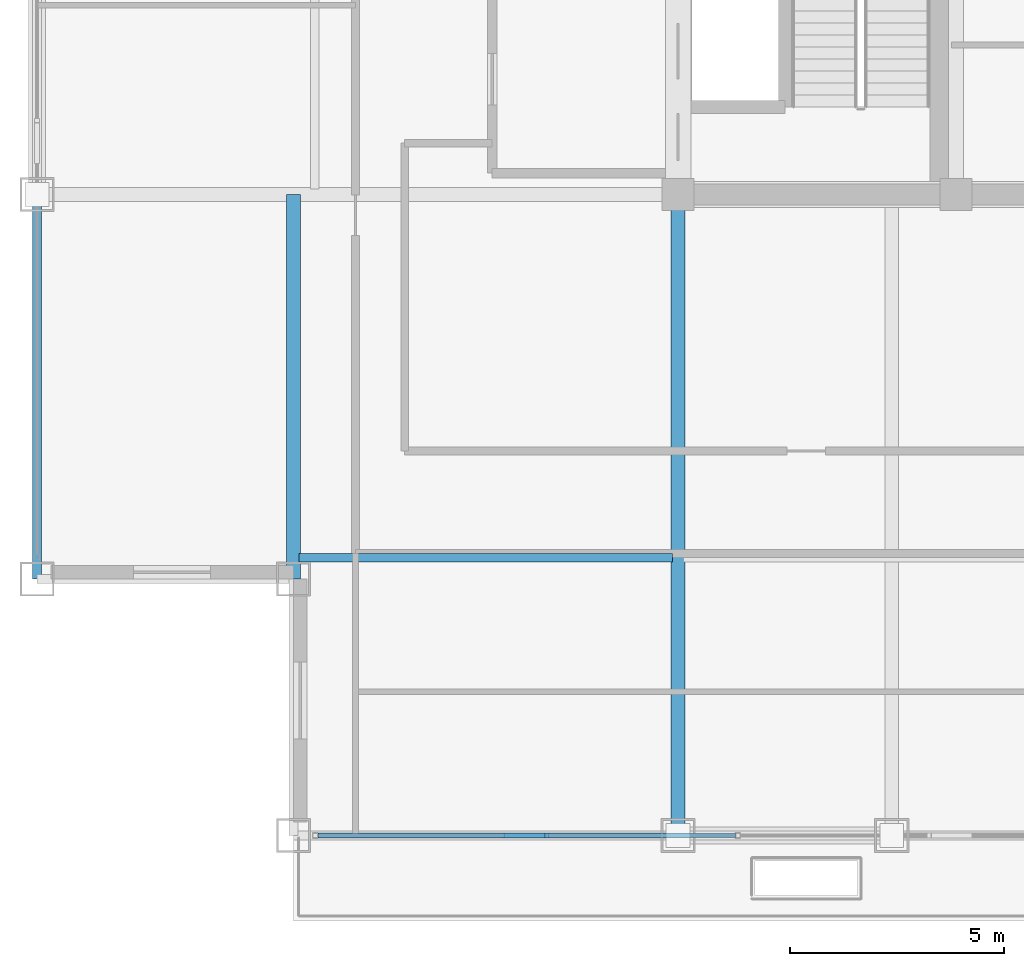
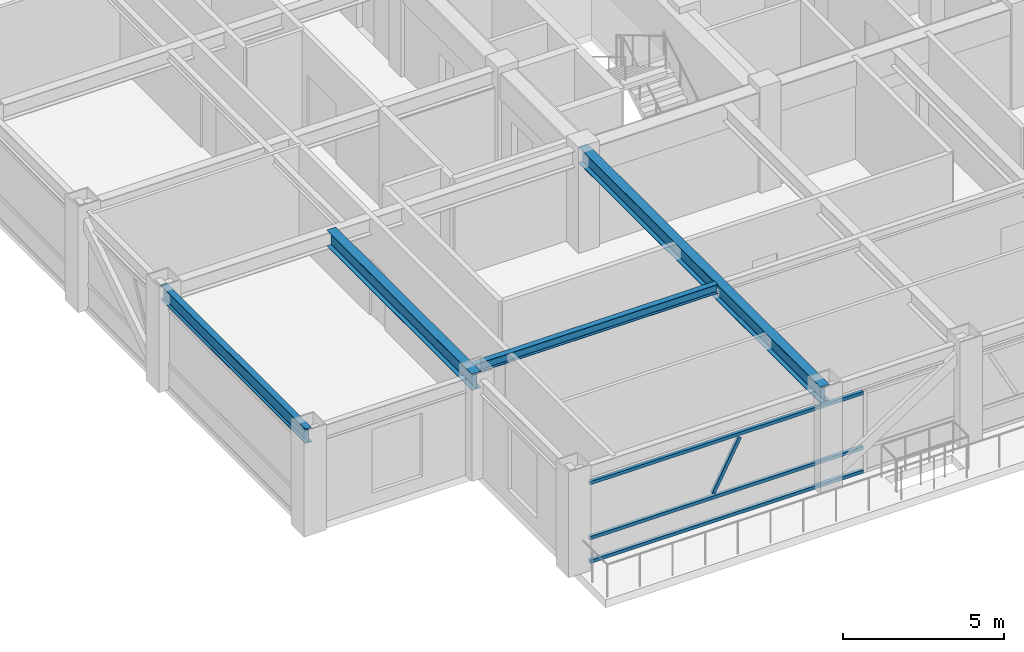
# One storey, part 3 of 30: 4 beams, 4 members, 1 element without a shape of its own.
"""IFC4 building model written with IfcOpenShell, lengths in metres."""

from ifc_helpers import new_model, si_unit, direction, frame, origin, origin_2d, place, context, subcontext, project, spatial, hollow_rectangle, i_section, extrude, source, transform, mapped, material, material_profile, profile_set, type_object, element, aggregate, save


model = new_model("IFC4")

# Units and contexts
model_context = context("Model", 3, precision=1e-05, world=origin(), true_north=direction((0.0, 1.0)))
body_context = subcontext(model_context, "Body", "Model", "MODEL_VIEW")
ifc_project = project(units=[si_unit("LENGTHUNIT", "METRE"), si_unit("AREAUNIT", "SQUARE_METRE"), si_unit("VOLUMEUNIT", "CUBIC_METRE"), si_unit("PLANEANGLEUNIT", "RADIAN"), si_unit("MASSUNIT", "GRAM", prefix="KILO")], contexts=[model_context])

# Site, building, storey
site_placement = place(None, origin())
site = spatial("IfcSite", under=ifc_project, at=site_placement, CompositionType="ELEMENT")
building_placement = place(site_placement, origin())
building = spatial("IfcBuilding", under=site, at=building_placement, Name="Khorayat Bourse Tower", CompositionType="ELEMENT")
storey_placement = place(building_placement, frame((0.0, 0.0, 326.300048828125)))
storey = spatial("IfcBuildingStorey", under=building, at=storey_placement, Name="L77", CompositionType="ELEMENT", Elevation=326.300048828125)

# Beams
ifc_material_1 = material(Name="Steel ASTM A992 Grade 50", Category="steel")
ifc_material_profile_1 = material_profile(ifc_material_1, i_section(OverallWidth=0.214111328125, OverallDepth=0.549072265625, WebThickness=0.0146484375, FlangeThickness=0.023681640625, FilletRadius=0.013916015625, at=origin_2d()), Name="W530X138")
ifc_profile_set_1 = profile_set([ifc_material_profile_1], Name="Steel ASTM A992 Grade 50")
beam_type_1 = type_object("IfcBeamType", Name="BM-SPAN-530", PredefinedType="SPANDREL", material=ifc_profile_set_1)
shared_shape_1 = source(origin(), body_context, "Body", "SweptSolid", [
    extrude(i_section(OverallWidth=0.214111328125, OverallDepth=0.549072265625, WebThickness=0.0146484375, FlangeThickness=0.023681640625, FilletRadius=0.013916015625, at=origin_2d()), origin(), (0.0, 0.0, 1.0), 9.0),
])
beam_1_placement = place(storey_placement, frame((-26.0, -20.0, 3.46533203125), z_axis=(0.0, 1.0, 0.0), x_axis=(-1.0, 0.0, 0.0)))
element("IfcBeam", 1, at=beam_1_placement, inside=storey, type_object=beam_type_1, Name="L77 BM-SPAN-530 BM-L77-SPN-053", PredefinedType="SPANDREL", context=body_context, shape_type="MappedRepresentation", body=[
    mapped(shared_shape_1, transform((0.0, 0.0, 0.0), scale=1.0)),
])
ifc_material_profile_2 = material_profile(ifc_material_1, i_section(OverallWidth=0.324951171875, OverallDepth=0.615966796875, WebThickness=0.013916015625, FlangeThickness=0.021484375, FilletRadius=0.01611328125, at=origin_2d()), Name="W610X174")
ifc_profile_set_2 = profile_set([ifc_material_profile_2], Name="Steel ASTM A992 Grade 50")
beam_type_2 = type_object("IfcBeamType", Name="BM-GIRD-610", PredefinedType="BEAM", material=ifc_profile_set_2)
shared_shape_2 = source(origin(), body_context, "Body", "SweptSolid", [
    extrude(i_section(OverallWidth=0.324951171875, OverallDepth=0.615966796875, WebThickness=0.013916015625, FlangeThickness=0.021484375, FilletRadius=0.01611328125, at=origin_2d()), origin(), (0.0, 0.0, 1.0), 15.0),
])
beam_2_placement = place(storey_placement, frame((-11.0, -26.0, 3.431884765625), z_axis=(0.0, 1.0, 0.0), x_axis=(-1.0, 0.0, 0.0)))
element("IfcBeam", 2, at=beam_2_placement, inside=storey, type_object=beam_type_2, Name="L77 BM-GIRD-610 BM-L77-RADY-057", PredefinedType="BEAM", context=body_context, shape_type="MappedRepresentation", body=[
    mapped(shared_shape_2, transform((0.0, 0.0, 0.0), scale=1.0)),
])
shared_shape_3 = source(origin(), body_context, "Body", "SweptSolid", [
    extrude(i_section(OverallWidth=0.324951171875, OverallDepth=0.615966796875, WebThickness=0.013916015625, FlangeThickness=0.021484375, FilletRadius=0.01611328125, at=origin_2d()), origin(), (0.0, 0.0, 1.0), 9.0),
])
beam_3_placement = place(storey_placement, frame((-20.0, -20.0, 3.431884765625), z_axis=(0.0, 1.0, 0.0), x_axis=(-1.0, 0.0, 0.0)))
element("IfcBeam", 3, at=beam_3_placement, inside=storey, type_object=beam_type_2, Name="L77 BM-GIRD-610 BM-L77-CNRY-076", PredefinedType="BEAM", context=body_context, shape_type="MappedRepresentation", body=[
    mapped(shared_shape_3, transform((0.0, 0.0, 0.0), scale=1.0)),
])
ifc_material_profile_3 = material_profile(ifc_material_1, i_section(OverallWidth=0.202880859375, OverallDepth=0.346923828125, WebThickness=0.0078125, FlangeThickness=0.013427734375, FilletRadius=0.010009765625, at=origin_2d()), Name="W360X64")
ifc_profile_set_3 = profile_set([ifc_material_profile_3], Name="Steel ASTM A992 Grade 50")
beam_type_3 = type_object("IfcBeamType", Name="BM-JOIST-360", PredefinedType="JOIST", material=ifc_profile_set_3)
shared_shape_4 = source(origin(), body_context, "Body", "SweptSolid", [
    extrude(i_section(OverallWidth=0.202880859375, OverallDepth=0.346923828125, WebThickness=0.0078125, FlangeThickness=0.013427734375, FilletRadius=0.010009765625, at=origin_2d()), origin(), (0.0, 0.0, 1.0), 8.740234375),
])
beam_4_placement = place(storey_placement, frame((-19.8701171875, -19.5, 3.56640625), z_axis=(1.0, 0.0, 0.0), x_axis=(0.0, 1.0, 0.0)))
element("IfcBeam", 4, at=beam_4_placement, inside=storey, type_object=beam_type_3, Name="L77 BM-JOIST-360 BM-L77-JSTX-080", PredefinedType="JOIST", context=body_context, shape_type="MappedRepresentation", body=[
    mapped(shared_shape_4, transform((0.0, 0.0, 0.0), scale=1.0)),
])

# Curtain wall, members
ifc_material_2 = material(Name="Aluminium EN AW-6063 T6", Category="aluminium")
curtain_wall_type = type_object("IfcCurtainWallType", Name="CW-SYS-04", PredefinedType="NOTDEFINED", material=ifc_material_2)
curtain_wall_placement = place(storey_placement, origin())
curtain_wall = element("IfcCurtainWall", 5, at=curtain_wall_placement, inside=storey, type_object=curtain_wall_type, Name="L77 Curtain Wall CW-L77-S1", PredefinedType="NOTDEFINED")
ifc_material_profile_4 = material_profile(ifc_material_2, hollow_rectangle(XDim=0.1201171875, YDim=0.1201171875, WallThickness=0.0048828125, at=origin_2d()), Name="ALU 120x120x5")
ifc_profile_set_4 = profile_set([ifc_material_profile_4], Name="Aluminium EN AW-6063 T6")
member_type_1 = type_object("IfcMemberType", Name="CWT-HORZ-120", PredefinedType="USERDEFINED", material=ifc_profile_set_4)
shared_shape_5 = source(origin(), body_context, "Body", "SweptSolid", [
    extrude(hollow_rectangle(XDim=0.1201171875, YDim=0.1201171875, WallThickness=0.0048828125, at=origin_2d()), origin(), (0.0, 0.0, 1.0), 9.77001953125),
])
member_1_placement = place(storey_placement, frame((-19.429931640625, -26.0, 0.06005859375), z_axis=(1.0, 0.0, 0.0), x_axis=(0.0, 1.0, 0.0)))
member_1 = element("IfcMember", 6, at=member_1_placement, type_object=member_type_1, Name="CW-L77-S1 Horizontal Transom 1-1", ObjectType="TRANSOM", PredefinedType="USERDEFINED", context=body_context, shape_type="MappedRepresentation", body=[
    mapped(shared_shape_5, transform((0.0, 0.0, 0.0), scale=1.0)),
])
member_2_placement = place(storey_placement, frame((-19.429931640625, -26.0, 0.949951171875), z_axis=(1.0, 0.0, 0.0), x_axis=(0.0, 1.0, 0.0)))
member_2 = element("IfcMember", 7, at=member_2_placement, type_object=member_type_1, Name="CW-L77-S1 Horizontal Transom 1-2", ObjectType="TRANSOM", PredefinedType="USERDEFINED", context=body_context, shape_type="MappedRepresentation", body=[
    mapped(shared_shape_5, transform((0.0, 0.0, 0.0), scale=1.0)),
])
member_3_placement = place(storey_placement, frame((-19.429931640625, -26.0, 3.030029296875), z_axis=(1.0, 0.0, 0.0), x_axis=(0.0, 1.0, 0.0)))
member_3 = element("IfcMember", 8, at=member_3_placement, type_object=member_type_1, Name="CW-L77-S1 Horizontal Transom 1-3", ObjectType="TRANSOM", PredefinedType="USERDEFINED", context=body_context, shape_type="MappedRepresentation", body=[
    mapped(shared_shape_5, transform((0.0, 0.0, 0.0), scale=1.0)),
])
ifc_material_profile_5 = material_profile(ifc_material_2, hollow_rectangle(XDim=0.1201171875, YDim=0.1201171875, WallThickness=0.0048828125, at=origin_2d()), Name="ALU 120x120x5")
ifc_profile_set_5 = profile_set([ifc_material_profile_5], Name="Aluminium EN AW-6063 T6")
member_type_2 = type_object("IfcMemberType", Name="CWM-DIAG-120", PredefinedType="MULLION", material=ifc_profile_set_5)
shared_shape_6 = source(origin(), body_context, "Body", "SweptSolid", [
    extrude(hollow_rectangle(XDim=0.1201171875, YDim=0.1201171875, WallThickness=0.0048828125, at=origin_2d()), origin(), (0.0, 0.0, 1.0), 2.0341796875),
])
member_4_placement = place(storey_placement, frame((-15.018798828125, -26.0, 1.08984375), z_axis=(0.465790950955, 0.0, 0.884894790361), x_axis=(0.0, 1.0, 0.0)))
member_4 = element("IfcMember", 9, at=member_4_placement, type_object=member_type_2, Name="CW-L77-S1 Faceted Diagonal Mullion 1", PredefinedType="MULLION", context=body_context, shape_type="MappedRepresentation", body=[
    mapped(shared_shape_6, transform((0.0, 0.0, 0.0), scale=1.0)),
])
aggregate(curtain_wall, [member_1, member_2, member_3, member_4])

save(model, "model.ifc")
